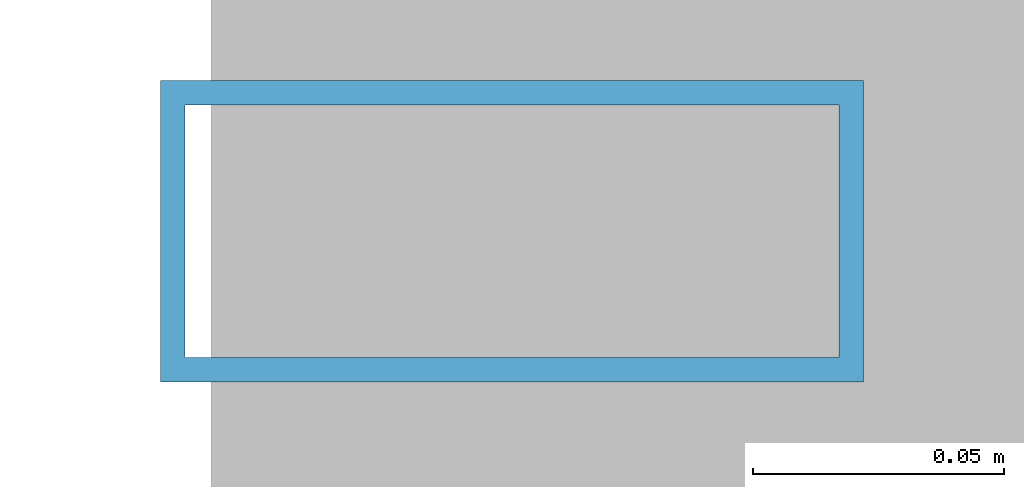
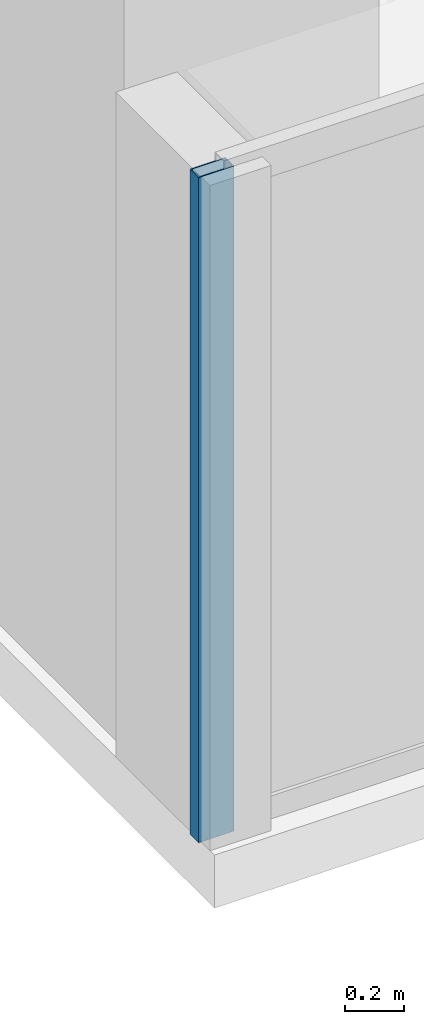
# One storey, part 6 of 29: 1 member, 1 element without a shape of its own.
"""IFC4 building model written with IfcOpenShell, lengths in metres."""

import ifcopenshell
import ifcopenshell.guid

model = None  # the IFC model being written
_history = None  # IfcOwnerHistory: only IFC2X3 demands one
_inside = {}  # id of a spatial element -> (the spatial element, [elements in it])
_under = {}  # id of a project, library or spatial element -> (it, [spatial elements below it])
_declared = {}  # id of a project -> (the project, [libraries it declares])
_typed = {}  # id of a type object -> (the type object, [elements of that type])
_made_of = {}  # id of a material, layer set ... -> (it, [elements and type objects made of it])


def new_model(schema):
    """Start an empty IFC model of exactly this schema.

    Asked for "IFC4X3", IfcOpenShell would pick the latest addendum, in which some entities
    have other attributes; the version numbers below select the first issue.
    IFC2X3 requires an IfcOwnerHistory on every rooted entity: one is made here for all.
    """
    global model, _history
    if schema == "IFC4X3":
        model = ifcopenshell.file(schema_version=(4, 3, 0, 0))
    else:
        model = ifcopenshell.file(schema=schema)
    _inside.clear()
    _under.clear()
    _declared.clear()
    _typed.clear()
    _made_of.clear()
    _history = None
    if model.schema == "IFC2X3":
        org = make("IfcOrganization", Name="unknown")
        user = make(
            "IfcPersonAndOrganization",
            ThePerson=make("IfcPerson", FamilyName="unknown"),
            TheOrganization=org,
        )
        app = make(
            "IfcApplication",
            ApplicationDeveloper=org,
            Version="unknown",
            ApplicationFullName="unknown",
            ApplicationIdentifier="unknown",
        )
        _history = make(
            "IfcOwnerHistory",
            OwningUser=user,
            OwningApplication=app,
            ChangeAction="ADDED",
            CreationDate=0,
        )
    return model


def make(cls, **values):
    """One entity of the class cls with the attributes given. An attribute that is None is left unset."""
    return model.create_entity(
        cls, **{name: value for name, value in values.items() if value is not None}
    )


def rooted(cls, **values):
    """An entity with a GlobalId (a new one), such as an element, a storey or a relation."""
    return make(cls, GlobalId=ifcopenshell.guid.new(), OwnerHistory=_history, **values)


def si_unit(unit_type, name, prefix=None):
    """IfcSIUnit, for example si_unit("LENGTHUNIT", "METRE", prefix="MILLI")."""
    return make("IfcSIUnit", UnitType=unit_type, Prefix=prefix, Name=name)


def assignment(units):
    """IfcUnitAssignment: the units of a project."""
    return None if units is None else make("IfcUnitAssignment", Units=units)


def point(xyz):
    """IfcCartesianPoint."""
    return None if xyz is None else make("IfcCartesianPoint", Coordinates=xyz)


def direction(xyz):
    """IfcDirection."""
    return None if xyz is None else make("IfcDirection", DirectionRatios=xyz)


def frame(location, z_axis=None, x_axis=None):
    """IfcAxis2Placement3D, a coordinate frame: its origin and axes. An axis left out is left unset."""
    return make(
        "IfcAxis2Placement3D",
        Location=point(location),
        Axis=direction(z_axis),
        RefDirection=direction(x_axis),
    )


def frame_2d(location, x_axis=None):
    """IfcAxis2Placement2D, a coordinate frame in the plane: its origin and x axis."""
    return make(
        "IfcAxis2Placement2D", Location=point(location), RefDirection=direction(x_axis)
    )


def origin():
    """The frame at (0, 0, 0) with its axes left unset."""
    return frame((0.0, 0.0, 0.0))


def origin_2d():
    """The frame at (0, 0) in the plane with its x axis left unset."""
    return frame_2d((0.0, 0.0))


def place(relative_to, where):
    """IfcLocalPlacement: puts the frame where relative to a parent placement (None: the world)."""
    return make(
        "IfcLocalPlacement", PlacementRelTo=relative_to, RelativePlacement=where
    )


def context(
    kind, dimensions, precision=None, world=None, true_north=None, identifier=None
):
    """IfcGeometricRepresentationContext, for example the 3D "Model" context."""
    return make(
        "IfcGeometricRepresentationContext",
        ContextIdentifier=identifier,
        ContextType=kind,
        CoordinateSpaceDimension=dimensions,
        Precision=precision,
        WorldCoordinateSystem=world,
        TrueNorth=true_north,
    )


def subcontext(parent, identifier, kind, view, scale=None):
    """IfcGeometricRepresentationSubContext, for example "Body" below "Model"."""
    return make(
        "IfcGeometricRepresentationSubContext",
        ContextIdentifier=identifier,
        ContextType=kind,
        ParentContext=parent,
        TargetScale=scale,
        TargetView=view,
    )


def project(units=None, contexts=None):
    """IfcProject with its units and contexts."""
    return rooted(
        "IfcProject",
        Name="project",
        RepresentationContexts=contexts,
        UnitsInContext=assignment(units),
    )


def spatial(cls, under=None, at=None, **own):
    """A site, building, storey or space (cls), placed at a placement, below another one or the project."""
    s = rooted(cls, ObjectPlacement=at, **own)
    if under is not None:
        _under.setdefault(under.id(), (under, []))[1].append(s)
    return s


def profile(cls, at=None, kind="AREA", **sizes):
    """A parametric profile (cls). Its sizes go by their IFC names, for example OverallWidth=200.0."""
    return make(cls, ProfileType=kind, Position=at, **sizes)


def hollow_rectangle(**sizes):
    """IfcRectangleHollowProfileDef."""
    return profile("IfcRectangleHollowProfileDef", **sizes)


def extrude(swept, where, along, depth):
    """IfcExtrudedAreaSolid: the profile swept, set in the frame where, extruded along a direction by depth."""
    return make(
        "IfcExtrudedAreaSolid",
        SweptArea=swept,
        Position=where,
        ExtrudedDirection=direction(along),
        Depth=depth,
    )


def shape(context_of_items, identifier, shape_type, items):
    """IfcShapeRepresentation: the items that make up one representation, for example the "Body"."""
    return make(
        "IfcShapeRepresentation",
        ContextOfItems=context_of_items,
        RepresentationIdentifier=identifier,
        RepresentationType=shape_type,
        Items=items,
    )


def source(mapping_origin, context_of_items, identifier, shape_type, items):
    """IfcRepresentationMap: a shape defined once, which mapped items show again and again."""
    return make(
        "IfcRepresentationMap",
        MappingOrigin=mapping_origin,
        MappedRepresentation=shape(context_of_items, identifier, shape_type, items),
    )


def transform(
    local_origin,
    x_axis=None,
    y_axis=None,
    z_axis=None,
    scale=None,
    scale2=None,
    scale3=None,
    uniform=True,
):
    """IfcCartesianTransformationOperator3D, or its non-uniform kind. x_axis, y_axis, z_axis: its Axis1, 2, 3."""
    if uniform:
        return make(
            "IfcCartesianTransformationOperator3D",
            Axis1=direction(x_axis),
            Axis2=direction(y_axis),
            LocalOrigin=point(local_origin),
            Scale=scale,
            Axis3=direction(z_axis),
        )
    return make(
        "IfcCartesianTransformationOperator3DnonUniform",
        Axis1=direction(x_axis),
        Axis2=direction(y_axis),
        LocalOrigin=point(local_origin),
        Scale=scale,
        Axis3=direction(z_axis),
        Scale2=scale2,
        Scale3=scale3,
    )


def mapped(mapping_source, mapping_target):
    """IfcMappedItem: shows the shape of a source again, moved by a transform."""
    return make(
        "IfcMappedItem", MappingSource=mapping_source, MappingTarget=mapping_target
    )


def material(Name=None, Category=None):
    """IfcMaterial."""
    return make("IfcMaterial", Name=Name, Category=Category)


def layer(
    of_material, thickness, ventilated=None, Name=None, Category=None, Priority=None
):
    """IfcMaterialLayer: one layer of a wall or slab, of a material (None: an air gap)."""
    return make(
        "IfcMaterialLayer",
        Material=of_material,
        LayerThickness=thickness,
        IsVentilated=ventilated,
        Name=Name,
        Category=Category,
        Priority=Priority,
    )


def layer_set(layers, Name=None):
    """IfcMaterialLayerSet."""
    return make("IfcMaterialLayerSet", MaterialLayers=layers, LayerSetName=Name)


def material_profile(
    of_material, cross_section, Name=None, Category=None, Priority=None
):
    """IfcMaterialProfile: a cross section and its material."""
    return make(
        "IfcMaterialProfile",
        Name=Name,
        Material=of_material,
        Profile=cross_section,
        Priority=Priority,
        Category=Category,
    )


def profile_set(profiles, Name=None, composite=None):
    """IfcMaterialProfileSet."""
    return make(
        "IfcMaterialProfileSet",
        Name=Name,
        MaterialProfiles=profiles,
        CompositeProfile=composite,
    )


def made_of(thing, what):
    """Note that an element or type object is made of a material, layer set ...; save() writes the relation."""
    if what is not None:
        _made_of.setdefault(what.id(), (what, []))[1].append(thing)
    return thing


def type_object(cls, material=None, **own):
    """A type object (cls), such as IfcWallType, which elements share."""
    return made_of(rooted(cls, **own), material)


def element(
    cls,
    number,
    at=None,
    inside=None,
    cuts=None,
    type_object=None,
    material=None,
    context=None,
    identifier="Body",
    shape_type=None,
    held_by="IfcProductDefinitionShape",
    body=None,
    shapes=None,
    **own,
):
    """One element of the class cls, such as IfcWall. Its Tag is "e" and its number.

    at: its placement. inside: the storey or other place that contains it. cuts: it is an
    opening in that element (IfcRelVoidsElement). A single representation is given by context,
    identifier, shape_type and body (its items); several are given by shapes. held_by: the class
    of the entity that holds the representations. save() writes the other relations.
    """
    e = rooted(cls, Tag="e%d" % number, ObjectPlacement=at, **own)
    if body is not None:
        shapes = [shape(context, identifier, shape_type, body)]
    if shapes is not None:
        e.Representation = make(held_by, Representations=shapes)
    if inside is not None:
        _inside.setdefault(inside.id(), (inside, []))[1].append(e)
    if cuts is not None:
        rooted(
            "IfcRelVoidsElement", RelatingBuildingElement=cuts, RelatedOpeningElement=e
        )
    if type_object is not None:
        _typed.setdefault(type_object.id(), (type_object, []))[1].append(e)
    return made_of(e, material)


def aggregate(whole, parts):
    """IfcRelAggregates: a whole, such as a stair, and the parts it consists of."""
    return rooted("IfcRelAggregates", RelatingObject=whole, RelatedObjects=parts)


def save(model, path):
    """Write the relations noted so far, then the file.

    IfcRelAggregates (storeys below a building ...), IfcRelContainedInSpatialStructure (elements
    in a storey), IfcRelDefinesByType, IfcRelAssociatesMaterial and IfcRelDeclares: one each for
    every whole, place, type object, material and project.
    """
    for whole, parts in _under.values():
        aggregate(whole, parts)
    for where, things in _inside.values():
        rooted(
            "IfcRelContainedInSpatialStructure",
            RelatedElements=things,
            RelatingStructure=where,
        )
    for kind, things in _typed.values():
        rooted("IfcRelDefinesByType", RelatedObjects=things, RelatingType=kind)
    for what, things in _made_of.values():
        rooted("IfcRelAssociatesMaterial", RelatedObjects=things, RelatingMaterial=what)
    for by, libraries in _declared.values():
        rooted("IfcRelDeclares", RelatingContext=by, RelatedDefinitions=libraries)
    model.write(path)


model = new_model("IFC4")

# Units and contexts
model_context = context("Model", 3, precision=1e-05, world=origin(), true_north=direction((0.0, 1.0)))
body_context = subcontext(model_context, "Body", "Model", "MODEL_VIEW")
ifc_project = project(units=[si_unit("LENGTHUNIT", "METRE"), si_unit("AREAUNIT", "SQUARE_METRE"), si_unit("VOLUMEUNIT", "CUBIC_METRE"), si_unit("PLANEANGLEUNIT", "RADIAN"), si_unit("MASSUNIT", "GRAM", prefix="KILO")], contexts=[model_context])

# Site, building, storey
site_placement = place(None, origin())
site = spatial("IfcSite", under=ifc_project, at=site_placement, CompositionType="ELEMENT")
building_placement = place(site_placement, origin())
building = spatial("IfcBuilding", under=site, at=building_placement, Name="Sumidabori Civic Tower", CompositionType="ELEMENT")
storey_placement = place(building_placement, frame((0.0, 0.0, 203.60009765625)))
storey = spatial("IfcBuildingStorey", under=building, at=storey_placement, Name="L52", CompositionType="ELEMENT", Elevation=203.60009765625)

# Curtain wall, member
ifc_material = material(Name="Anodised Bronze Aluminium AW-6063-T6", Category="aluminium")
ifc_layer = layer(ifc_material, 0.179931640625, Name="Anodised Bronze Aluminium AW-6063-T6")
ifc_layer_set = layer_set([ifc_layer], Name="Anodised Bronze Aluminium AW-6063-T6")
curtain_wall_type = type_object("IfcCurtainWallType", Name="CW-SYS-5", PredefinedType="NOTDEFINED", material=ifc_layer_set)
curtain_wall_placement = place(storey_placement, origin())
curtain_wall = element("IfcCurtainWall", 1, at=curtain_wall_placement, inside=storey, type_object=curtain_wall_type, Name="Curtain Wall CW:L52:R09", PredefinedType="NOTDEFINED")
ifc_material_profile = material_profile(ifc_material, hollow_rectangle(XDim=0.06005859375, YDim=0.139892578125, WallThickness=0.0048828125, at=origin_2d()), Name="ALU MULLION 140x60")
ifc_profile_set = profile_set([ifc_material_profile], Name="Anodised Bronze Aluminium AW-6063-T6")
member_type = type_object("IfcMemberType", Name="CW-MUL-140", PredefinedType="MULLION", material=ifc_profile_set)
shared_shape = source(origin(), body_context, "Body", "SweptSolid", [
    extrude(hollow_rectangle(XDim=0.06005859375, YDim=0.139892578125, WallThickness=0.0048828125, at=origin_2d()), origin(), (0.0, 0.0, 1.0), 2.760009765625),
])
member_placement = place(storey_placement, frame((7.909912109375, -11.8798828125, 0.0), z_axis=(0.0, 0.0, 1.0), x_axis=(0.0, 1.0, 0.0)))
member = element("IfcMember", 2, at=member_placement, type_object=member_type, Name="CW-5 mullion 1", PredefinedType="MULLION", context=body_context, shape_type="MappedRepresentation", body=[
    mapped(shared_shape, transform((0.0, 0.0, 0.0), x_axis=(1.0, 0.0, 0.0), y_axis=(0.0, 1.0, 0.0), z_axis=(0.0, 0.0, 1.0), scale=1.0)),
])
aggregate(curtain_wall, [member])

save(model, "model.ifc")
